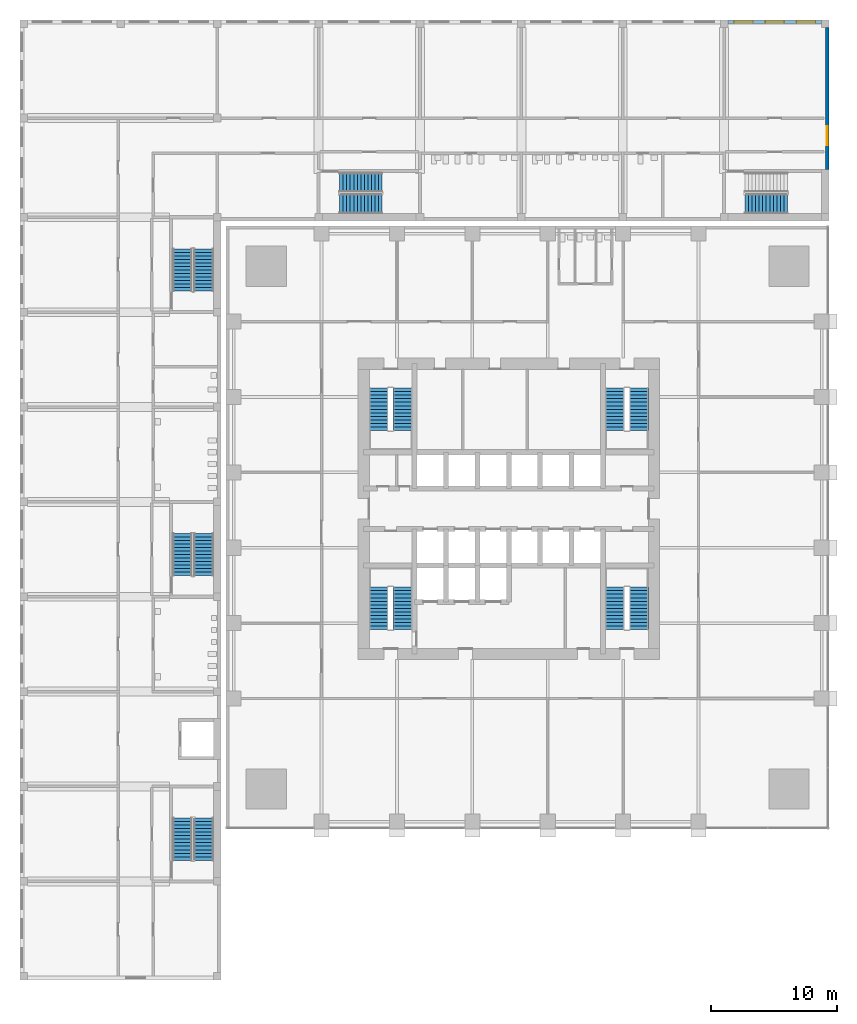
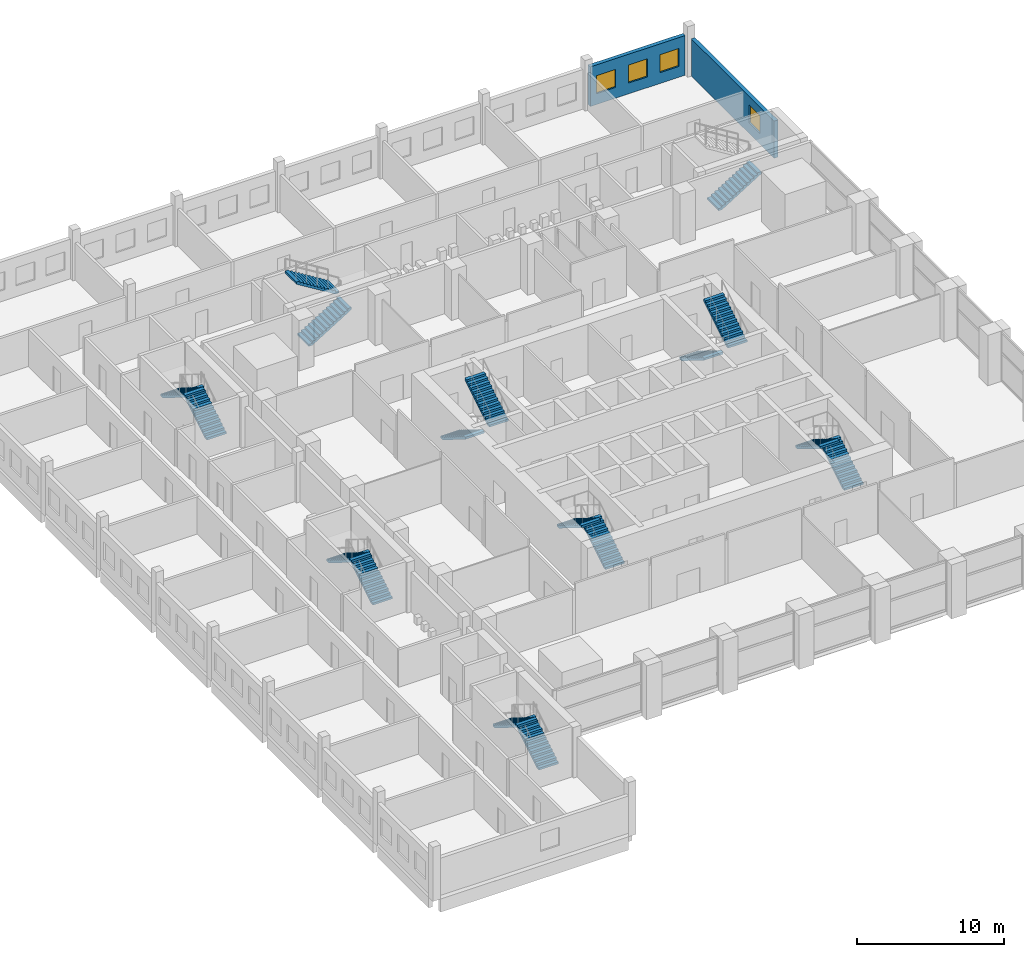
# One storey, part 18 of 25: 17 stair flights, 4 windows, 2 walls, 4 openings, 9 elements without a shape of their own.
"""IFC4 building model written with IfcOpenShell, lengths in metres."""

from ifc_helpers import new_model, si_unit, direction, frame, frame_2d, origin, place, context, subcontext, project, spatial, polyline, rectangle, outline, extrude, material, layer, layer_set, type_object, element, fill, aggregate, save


model = new_model("IFC4")

# Units and contexts
model_context = context("Model", 3, precision=1e-05, world=origin(), true_north=direction((0.0, 1.0)))
body_context = subcontext(model_context, "Body", "Model", "MODEL_VIEW")
ifc_project = project(units=[si_unit("LENGTHUNIT", "METRE"), si_unit("AREAUNIT", "SQUARE_METRE"), si_unit("VOLUMEUNIT", "CUBIC_METRE"), si_unit("PLANEANGLEUNIT", "RADIAN"), si_unit("MASSUNIT", "GRAM", prefix="KILO")], contexts=[model_context])

# Site, building, storey
site_placement = place(None, origin())
site = spatial("IfcSite", under=ifc_project, at=site_placement, CompositionType="ELEMENT")
building_placement = place(site_placement, origin())
building = spatial("IfcBuilding", under=site, at=building_placement, Name="Amberfall Residences", CompositionType="ELEMENT")
storey_placement = place(building_placement, frame((0.0, 0.0, 14.5)))
storey = spatial("IfcBuildingStorey", under=building, at=storey_placement, Name="L03", CompositionType="ELEMENT", Elevation=14.5)

# Wall, openings, windows
ifc_material_1 = material(Name="Aerated block wall")
ifc_layer = layer(ifc_material_1, 0.300048828125)
ifc_layer_set = layer_set([ifc_layer], Name="School external wall 300")
wall_type = type_object("IfcWallType", Name="School external wall 300", PredefinedType="SOLIDWALL", material=ifc_layer_set)
wall_1_placement = place(storey_placement, frame((91.93310546875, 84.25, 0.0), z_axis=(0.0, 0.0, 1.0), x_axis=(1.0, 0.0, 0.0)))
wall_1 = element("IfcWall", 1, at=wall_1_placement, inside=storey, type_object=wall_type, Name="School external wall L03 EN7", PredefinedType="SOLIDWALL", context=body_context, shape_type="SweptSolid", body=[
    extrude(rectangle(XDim=7.466796875, YDim=0.300048828125, at=frame_2d((3.7333984375, 0.0))), origin(), (0.0, 0.0, 1.0), 3.300048828125),
])
opening_1_placement = place(wall_1_placement, frame((0.494384765625, 0.0, 0.89990234375)))
opening_1 = element("IfcOpeningElement", 2, at=opening_1_placement, cuts=wall_1, Name="Opening SWN1", PredefinedType="OPENING", context=body_context, shape_type="SweptSolid", body=[
    extrude(rectangle(XDim=1.5, YDim=1.5, at=frame_2d((0.75, 0.75))), frame((0.0, 0.159912109375, 0.0), z_axis=(0.0, -1.0, 0.0), x_axis=(1.0, 0.0, 0.0)), (0.0, 0.0, 1.0), 0.320068359375),
])
opening_2_placement = place(wall_1_placement, frame((2.9833984375, 0.0, 0.89990234375)))
opening_2 = element("IfcOpeningElement", 3, at=opening_2_placement, cuts=wall_1, Name="Opening SWN1", PredefinedType="OPENING", context=body_context, shape_type="SweptSolid", body=[
    extrude(rectangle(XDim=1.5, YDim=1.5, at=frame_2d((0.75, 0.75))), frame((0.0, 0.159912109375, 0.0), z_axis=(0.0, -1.0, 0.0), x_axis=(1.0, 0.0, 0.0)), (0.0, 0.0, 1.0), 0.320068359375),
])
opening_3_placement = place(wall_1_placement, frame((5.472412109375, 0.0, 0.89990234375)))
opening_3 = element("IfcOpeningElement", 4, at=opening_3_placement, cuts=wall_1, Name="Opening SWN1", PredefinedType="OPENING", context=body_context, shape_type="SweptSolid", body=[
    extrude(rectangle(XDim=1.5, YDim=1.5, at=frame_2d((0.75, 0.75))), frame((0.0, 0.159912109375, 0.0), z_axis=(0.0, -1.0, 0.0), x_axis=(1.0, 0.0, 0.0)), (0.0, 0.0, 1.0), 0.320068359375),
])
ifc_material_2 = material(Name="Aluminium window", Category="aluminium")
window_type = type_object("IfcWindowType", Name="School window 1500 x 1500", PartitioningType="DOUBLE_PANEL_HORIZONTAL", PredefinedType="WINDOW", material=ifc_material_2)
window_1_placement = place(opening_1_placement, origin())
window_1 = element("IfcWindow", 5, at=window_1_placement, inside=storey, type_object=window_type, Name="School window L03 EN7-1", OverallHeight=1.5, OverallWidth=1.5, PartitioningType="DOUBLE_PANEL_HORIZONTAL", PredefinedType="WINDOW", context=body_context, shape_type="SweptSolid", body=[
    extrude(rectangle(XDim=1.5, YDim=1.5, at=frame_2d((0.75, 0.75))), frame((0.0, 0.030029296875, 0.0), z_axis=(0.0, -1.0, 0.0), x_axis=(1.0, 0.0, 0.0)), (0.0, 0.0, 1.0), 0.06005859375),
])
fill(opening_1, window_1)
window_2_placement = place(opening_2_placement, origin())
window_2 = element("IfcWindow", 6, at=window_2_placement, inside=storey, type_object=window_type, Name="School window L03 EN7-2", OverallHeight=1.5, OverallWidth=1.5, PartitioningType="DOUBLE_PANEL_HORIZONTAL", PredefinedType="WINDOW", context=body_context, shape_type="SweptSolid", body=[
    extrude(rectangle(XDim=1.5, YDim=1.5, at=frame_2d((0.75, 0.75))), frame((0.0, 0.030029296875, 0.0), z_axis=(0.0, -1.0, 0.0), x_axis=(1.0, 0.0, 0.0)), (0.0, 0.0, 1.0), 0.06005859375),
])
fill(opening_2, window_2)
window_3_placement = place(opening_3_placement, origin())
window_3 = element("IfcWindow", 7, at=window_3_placement, inside=storey, type_object=window_type, Name="School window L03 EN7-3", OverallHeight=1.5, OverallWidth=1.5, PartitioningType="DOUBLE_PANEL_HORIZONTAL", PredefinedType="WINDOW", context=body_context, shape_type="SweptSolid", body=[
    extrude(rectangle(XDim=1.5, YDim=1.5, at=frame_2d((0.75, 0.75))), frame((0.0, 0.030029296875, 0.0), z_axis=(0.0, -1.0, 0.0), x_axis=(1.0, 0.0, 0.0)), (0.0, 0.0, 1.0), 0.06005859375),
])
fill(opening_3, window_3)

# Wall, opening, window
wall_2_placement = place(storey_placement, frame((99.85009765625, 72.5, 0.0), z_axis=(0.0, 0.0, 1.0), x_axis=(0.0, 1.0, 0.0)))
wall_2 = element("IfcWall", 8, at=wall_2_placement, inside=storey, type_object=wall_type, Name="School external wall L03 EE", PredefinedType="SOLIDWALL", context=body_context, shape_type="SweptSolid", body=[
    extrude(rectangle(XDim=11.300048828125, YDim=0.300048828125, at=frame_2d((5.64990234375, 0.0))), origin(), (0.0, 0.0, 1.0), 3.10009765625),
])
opening_4_placement = place(wall_2_placement, frame((1.949951171875, 0.0, 0.89990234375)))
opening_4 = element("IfcOpeningElement", 9, at=opening_4_placement, cuts=wall_2, Name="Opening SWN1", PredefinedType="OPENING", context=body_context, shape_type="SweptSolid", body=[
    extrude(rectangle(XDim=1.5, YDim=1.5, at=frame_2d((0.75, 0.75))), frame((0.0, 0.159912109375, 0.0), z_axis=(0.0, -1.0, 0.0), x_axis=(1.0, 0.0, 0.0)), (0.0, 0.0, 1.0), 0.320068359375),
])
window_4_placement = place(opening_4_placement, origin())
window_4 = element("IfcWindow", 10, at=window_4_placement, inside=storey, type_object=window_type, Name="School window L03 EE-1", OverallHeight=1.5, OverallWidth=1.5, PartitioningType="DOUBLE_PANEL_HORIZONTAL", PredefinedType="WINDOW", context=body_context, shape_type="SweptSolid", body=[
    extrude(rectangle(XDim=1.5, YDim=1.5, at=frame_2d((0.75, 0.75))), frame((0.0, 0.030029296875, 0.0), z_axis=(0.0, -1.0, 0.0), x_axis=(1.0, 0.0, 0.0)), (0.0, 0.0, 1.0), 0.06005859375),
])
fill(opening_4, window_4)

# Stair, stair flights
ifc_material_3 = material(Name="Concrete C40", Category="concrete")
stair_type_1 = type_object("IfcStairType", Name="School stair", PredefinedType="HALF_TURN_STAIR", material=ifc_material_3)
stair_1_placement = place(storey_placement, origin())
stair_1 = element("IfcStair", 11, at=stair_1_placement, inside=storey, type_object=stair_type_1, Name="L03 Stair SS1", PredefinedType="HALF_TURN_STAIR")
stair_flight_type_1 = type_object("IfcStairFlightType", Name="School stair flight", PredefinedType="STRAIGHT", material=ifc_material_3)
stair_flight_1_placement = place(storey_placement, frame((50.22509765625, 17.52490234375, 0.0), z_axis=(0.0, 0.0, 1.0), x_axis=(0.0, 1.0, 0.0)))
stair_flight_1 = element("IfcStairFlight", 12, at=stair_flight_1_placement, type_object=stair_flight_type_1, Name="SS1 flight 1", NumberOfRisers=13, NumberOfTreads=12, PredefinedType="STRAIGHT", RiserHeight=0.173076923, TreadLength=0.28, context=body_context, shape_type="SweptSolid", body=[
    extrude(outline(polyline([(0.0, 0.0), (0.0, 0.173095703125), (0.280029296875, 0.173095703125), (0.280029296875, 0.34619140625), (0.56005859375, 0.34619140625), (0.56005859375, 0.519287109375), (0.840087890625, 0.519287109375), (0.840087890625, 0.6923828125), (1.1201171875, 0.6923828125), (1.1201171875, 0.865478515625), (1.39990234375, 0.865478515625), (1.39990234375, 1.03857421875), (1.679931640625, 1.03857421875), (1.679931640625, 1.21142578125), (1.9599609375, 1.21142578125), (1.9599609375, 1.384521484375), (2.239990234375, 1.384521484375), (2.239990234375, 1.5576171875), (2.52001953125, 1.5576171875), (2.52001953125, 1.730712890625), (2.800048828125, 1.730712890625), (2.800048828125, 1.90380859375), (3.080078125, 1.90380859375), (3.080078125, 2.076904296875), (3.360107421875, 2.076904296875), (3.360107421875, 2.25), (3.360107421875, 1.900634765625), (0.28515625, 0.0), (0.0, 0.0)])), frame((0.0, 0.77490234375, 0.0), z_axis=(0.0, -1.0, 0.0), x_axis=(1.0, 0.0, 0.0)), (0.0, 0.0, 1.0), 1.550048828125),
])
stair_flight_2_placement = place(storey_placement, frame((48.52490234375, 20.885009765625, 2.25), z_axis=(0.0, 0.0, 1.0), x_axis=(0.0, -1.0, 0.0)))
stair_flight_2 = element("IfcStairFlight", 13, at=stair_flight_2_placement, type_object=stair_flight_type_1, Name="SS1 flight 2", NumberOfRisers=13, NumberOfTreads=12, PredefinedType="STRAIGHT", RiserHeight=0.173076923, TreadLength=0.28, context=body_context, shape_type="SweptSolid", body=[
    extrude(outline(polyline([(0.0, 0.0), (0.0, 0.173095703125), (0.280029296875, 0.173095703125), (0.280029296875, 0.34619140625), (0.56005859375, 0.34619140625), (0.56005859375, 0.519287109375), (0.840087890625, 0.519287109375), (0.840087890625, 0.6923828125), (1.1201171875, 0.6923828125), (1.1201171875, 0.865478515625), (1.39990234375, 0.865478515625), (1.39990234375, 1.03857421875), (1.679931640625, 1.03857421875), (1.679931640625, 1.21142578125), (1.9599609375, 1.21142578125), (1.9599609375, 1.384521484375), (2.239990234375, 1.384521484375), (2.239990234375, 1.5576171875), (2.52001953125, 1.5576171875), (2.52001953125, 1.730712890625), (2.800048828125, 1.730712890625), (2.800048828125, 1.90380859375), (3.080078125, 1.90380859375), (3.080078125, 2.076904296875), (3.360107421875, 2.076904296875), (3.360107421875, 2.25), (3.360107421875, 1.900634765625), (0.28515625, 0.0), (0.0, 0.0)])), frame((0.0, 0.77490234375, 0.0), z_axis=(0.0, -1.0, 0.0), x_axis=(1.0, 0.0, 0.0)), (0.0, 0.0, 1.0), 1.550048828125),
])
aggregate(stair_1, [stair_flight_1, stair_flight_2])

stair_2_placement = place(storey_placement, origin())
stair_2 = element("IfcStair", 14, at=stair_2_placement, inside=storey, type_object=stair_type_1, Name="L03 Stair SS2", PredefinedType="HALF_TURN_STAIR")
stair_flight_3_placement = place(storey_placement, frame((50.22509765625, 40.175048828125, 0.0), z_axis=(0.0, 0.0, 1.0), x_axis=(0.0, 1.0, 0.0)))
stair_flight_3 = element("IfcStairFlight", 15, at=stair_flight_3_placement, type_object=stair_flight_type_1, Name="SS2 flight 1", NumberOfRisers=13, NumberOfTreads=12, PredefinedType="STRAIGHT", RiserHeight=0.173076923, TreadLength=0.28, context=body_context, shape_type="SweptSolid", body=[
    extrude(outline(polyline([(0.0, 0.0), (0.0, 0.173095703125), (0.280029296875, 0.173095703125), (0.280029296875, 0.34619140625), (0.56005859375, 0.34619140625), (0.56005859375, 0.519287109375), (0.840087890625, 0.519287109375), (0.840087890625, 0.6923828125), (1.1201171875, 0.6923828125), (1.1201171875, 0.865478515625), (1.39990234375, 0.865478515625), (1.39990234375, 1.03857421875), (1.679931640625, 1.03857421875), (1.679931640625, 1.21142578125), (1.9599609375, 1.21142578125), (1.9599609375, 1.384521484375), (2.239990234375, 1.384521484375), (2.239990234375, 1.5576171875), (2.52001953125, 1.5576171875), (2.52001953125, 1.730712890625), (2.800048828125, 1.730712890625), (2.800048828125, 1.90380859375), (3.080078125, 1.90380859375), (3.080078125, 2.076904296875), (3.360107421875, 2.076904296875), (3.360107421875, 2.25), (3.360107421875, 1.900634765625), (0.28515625, 0.0), (0.0, 0.0)])), frame((0.0, 0.77490234375, 0.0), z_axis=(0.0, -1.0, 0.0), x_axis=(1.0, 0.0, 0.0)), (0.0, 0.0, 1.0), 1.550048828125),
])
stair_flight_4_placement = place(storey_placement, frame((48.52490234375, 43.534912109375, 2.25), z_axis=(0.0, 0.0, 1.0), x_axis=(0.0, -1.0, 0.0)))
stair_flight_4 = element("IfcStairFlight", 16, at=stair_flight_4_placement, type_object=stair_flight_type_1, Name="SS2 flight 2", NumberOfRisers=13, NumberOfTreads=12, PredefinedType="STRAIGHT", RiserHeight=0.173076923, TreadLength=0.28, context=body_context, shape_type="SweptSolid", body=[
    extrude(outline(polyline([(0.0, 0.0), (0.0, 0.173095703125), (0.280029296875, 0.173095703125), (0.280029296875, 0.34619140625), (0.56005859375, 0.34619140625), (0.56005859375, 0.519287109375), (0.840087890625, 0.519287109375), (0.840087890625, 0.6923828125), (1.1201171875, 0.6923828125), (1.1201171875, 0.865478515625), (1.39990234375, 0.865478515625), (1.39990234375, 1.03857421875), (1.679931640625, 1.03857421875), (1.679931640625, 1.21142578125), (1.9599609375, 1.21142578125), (1.9599609375, 1.384521484375), (2.239990234375, 1.384521484375), (2.239990234375, 1.5576171875), (2.52001953125, 1.5576171875), (2.52001953125, 1.730712890625), (2.800048828125, 1.730712890625), (2.800048828125, 1.90380859375), (3.080078125, 1.90380859375), (3.080078125, 2.076904296875), (3.360107421875, 2.076904296875), (3.360107421875, 2.25), (3.360107421875, 1.900634765625), (0.28515625, 0.0), (0.0, 0.0)])), frame((0.0, 0.77490234375, 0.0), z_axis=(0.0, -1.0, 0.0), x_axis=(1.0, 0.0, 0.0)), (0.0, 0.0, 1.0), 1.550048828125),
])
aggregate(stair_2, [stair_flight_3, stair_flight_4])

stair_3_placement = place(storey_placement, origin())
stair_3 = element("IfcStair", 17, at=stair_3_placement, inside=storey, type_object=stair_type_1, Name="L03 Stair SS3", PredefinedType="HALF_TURN_STAIR")
stair_flight_5_placement = place(storey_placement, frame((50.22509765625, 62.824951171875, 0.0), z_axis=(0.0, 0.0, 1.0), x_axis=(0.0, 1.0, 0.0)))
stair_flight_5 = element("IfcStairFlight", 18, at=stair_flight_5_placement, type_object=stair_flight_type_1, Name="SS3 flight 1", NumberOfRisers=13, NumberOfTreads=12, PredefinedType="STRAIGHT", RiserHeight=0.173076923, TreadLength=0.28, context=body_context, shape_type="SweptSolid", body=[
    extrude(outline(polyline([(0.0, 0.0), (0.0, 0.173095703125), (0.280029296875, 0.173095703125), (0.280029296875, 0.34619140625), (0.56005859375, 0.34619140625), (0.56005859375, 0.519287109375), (0.840087890625, 0.519287109375), (0.840087890625, 0.6923828125), (1.1201171875, 0.6923828125), (1.1201171875, 0.865478515625), (1.39990234375, 0.865478515625), (1.39990234375, 1.03857421875), (1.679931640625, 1.03857421875), (1.679931640625, 1.21142578125), (1.9599609375, 1.21142578125), (1.9599609375, 1.384521484375), (2.239990234375, 1.384521484375), (2.239990234375, 1.5576171875), (2.52001953125, 1.5576171875), (2.52001953125, 1.730712890625), (2.800048828125, 1.730712890625), (2.800048828125, 1.90380859375), (3.080078125, 1.90380859375), (3.080078125, 2.076904296875), (3.360107421875, 2.076904296875), (3.360107421875, 2.25), (3.360107421875, 1.900634765625), (0.28515625, 0.0), (0.0, 0.0)])), frame((0.0, 0.77490234375, 0.0), z_axis=(0.0, -1.0, 0.0), x_axis=(1.0, 0.0, 0.0)), (0.0, 0.0, 1.0), 1.550048828125),
])
stair_flight_6_placement = place(storey_placement, frame((48.52490234375, 66.18505859375, 2.25), z_axis=(0.0, 0.0, 1.0), x_axis=(0.0, -1.0, 0.0)))
stair_flight_6 = element("IfcStairFlight", 19, at=stair_flight_6_placement, type_object=stair_flight_type_1, Name="SS3 flight 2", NumberOfRisers=13, NumberOfTreads=12, PredefinedType="STRAIGHT", RiserHeight=0.173076923, TreadLength=0.28, context=body_context, shape_type="SweptSolid", body=[
    extrude(outline(polyline([(0.0, 0.0), (0.0, 0.173095703125), (0.280029296875, 0.173095703125), (0.280029296875, 0.34619140625), (0.56005859375, 0.34619140625), (0.56005859375, 0.519287109375), (0.840087890625, 0.519287109375), (0.840087890625, 0.6923828125), (1.1201171875, 0.6923828125), (1.1201171875, 0.865478515625), (1.39990234375, 0.865478515625), (1.39990234375, 1.03857421875), (1.679931640625, 1.03857421875), (1.679931640625, 1.21142578125), (1.9599609375, 1.21142578125), (1.9599609375, 1.384521484375), (2.239990234375, 1.384521484375), (2.239990234375, 1.5576171875), (2.52001953125, 1.5576171875), (2.52001953125, 1.730712890625), (2.800048828125, 1.730712890625), (2.800048828125, 1.90380859375), (3.080078125, 1.90380859375), (3.080078125, 2.076904296875), (3.360107421875, 2.076904296875), (3.360107421875, 2.25), (3.360107421875, 1.900634765625), (0.28515625, 0.0), (0.0, 0.0)])), frame((0.0, 0.77490234375, 0.0), z_axis=(0.0, -1.0, 0.0), x_axis=(1.0, 0.0, 0.0)), (0.0, 0.0, 1.0), 1.550048828125),
])
aggregate(stair_3, [stair_flight_5, stair_flight_6])

stair_4_placement = place(storey_placement, origin())
stair_4 = element("IfcStair", 20, at=stair_4_placement, inside=storey, type_object=stair_type_1, Name="L03 Stair SS4", PredefinedType="HALF_TURN_STAIR")
stair_flight_7_placement = place(storey_placement, frame((61.0419921875, 69.77490234375, 0.0), z_axis=(0.0, 0.0, 1.0), x_axis=(1.0, 0.0, 0.0)))
stair_flight_7 = element("IfcStairFlight", 21, at=stair_flight_7_placement, type_object=stair_flight_type_1, Name="SS4 flight 1", NumberOfRisers=13, NumberOfTreads=12, PredefinedType="STRAIGHT", RiserHeight=0.173076923, TreadLength=0.28, context=body_context, shape_type="SweptSolid", body=[
    extrude(outline(polyline([(0.0, 0.0), (0.0, 0.173095703125), (0.280029296875, 0.173095703125), (0.280029296875, 0.34619140625), (0.56005859375, 0.34619140625), (0.56005859375, 0.519287109375), (0.840087890625, 0.519287109375), (0.840087890625, 0.6923828125), (1.1201171875, 0.6923828125), (1.1201171875, 0.865478515625), (1.39990234375, 0.865478515625), (1.39990234375, 1.03857421875), (1.679931640625, 1.03857421875), (1.679931640625, 1.21142578125), (1.9599609375, 1.21142578125), (1.9599609375, 1.384521484375), (2.239990234375, 1.384521484375), (2.239990234375, 1.5576171875), (2.52001953125, 1.5576171875), (2.52001953125, 1.730712890625), (2.800048828125, 1.730712890625), (2.800048828125, 1.90380859375), (3.080078125, 1.90380859375), (3.080078125, 2.076904296875), (3.360107421875, 2.076904296875), (3.360107421875, 2.25), (3.360107421875, 1.900634765625), (0.28515625, 0.0), (0.0, 0.0)])), frame((0.0, 0.77490234375, 0.0), z_axis=(0.0, -1.0, 0.0), x_axis=(1.0, 0.0, 0.0)), (0.0, 0.0, 1.0), 1.550048828125),
])
stair_flight_8_placement = place(storey_placement, frame((64.402099609375, 71.47509765625, 2.25), z_axis=(0.0, 0.0, 1.0), x_axis=(-1.0, 0.0, 0.0)))
stair_flight_8 = element("IfcStairFlight", 22, at=stair_flight_8_placement, type_object=stair_flight_type_1, Name="SS4 flight 2", NumberOfRisers=13, NumberOfTreads=12, PredefinedType="STRAIGHT", RiserHeight=0.173076923, TreadLength=0.28, context=body_context, shape_type="SweptSolid", body=[
    extrude(outline(polyline([(0.0, 0.0), (0.0, 0.173095703125), (0.280029296875, 0.173095703125), (0.280029296875, 0.34619140625), (0.56005859375, 0.34619140625), (0.56005859375, 0.519287109375), (0.840087890625, 0.519287109375), (0.840087890625, 0.6923828125), (1.1201171875, 0.6923828125), (1.1201171875, 0.865478515625), (1.39990234375, 0.865478515625), (1.39990234375, 1.03857421875), (1.679931640625, 1.03857421875), (1.679931640625, 1.21142578125), (1.9599609375, 1.21142578125), (1.9599609375, 1.384521484375), (2.239990234375, 1.384521484375), (2.239990234375, 1.5576171875), (2.52001953125, 1.5576171875), (2.52001953125, 1.730712890625), (2.800048828125, 1.730712890625), (2.800048828125, 1.90380859375), (3.080078125, 1.90380859375), (3.080078125, 2.076904296875), (3.360107421875, 2.076904296875), (3.360107421875, 2.25), (3.360107421875, 1.900634765625), (0.28515625, 0.0), (0.0, 0.0)])), frame((0.0, 0.77490234375, 0.0), z_axis=(0.0, -1.0, 0.0), x_axis=(1.0, 0.0, 0.0)), (0.0, 0.0, 1.0), 1.550048828125),
])
aggregate(stair_4, [stair_flight_7, stair_flight_8])

# Stair, stair flight
stair_5_placement = place(storey_placement, origin())
stair_5 = element("IfcStair", 23, at=stair_5_placement, inside=storey, type_object=stair_type_1, Name="L03 Stair SS5", PredefinedType="HALF_TURN_STAIR")
stair_flight_9_placement = place(storey_placement, frame((93.30810546875, 69.77490234375, 0.0), z_axis=(0.0, 0.0, 1.0), x_axis=(1.0, 0.0, 0.0)))
stair_flight_9 = element("IfcStairFlight", 24, at=stair_flight_9_placement, type_object=stair_flight_type_1, Name="SS5 flight 1", NumberOfRisers=13, NumberOfTreads=12, PredefinedType="STRAIGHT", RiserHeight=0.173076923, TreadLength=0.28, context=body_context, shape_type="SweptSolid", body=[
    extrude(outline(polyline([(0.0, 0.0), (0.0, 0.173095703125), (0.280029296875, 0.173095703125), (0.280029296875, 0.34619140625), (0.56005859375, 0.34619140625), (0.56005859375, 0.519287109375), (0.840087890625, 0.519287109375), (0.840087890625, 0.6923828125), (1.1201171875, 0.6923828125), (1.1201171875, 0.865478515625), (1.39990234375, 0.865478515625), (1.39990234375, 1.03857421875), (1.679931640625, 1.03857421875), (1.679931640625, 1.21142578125), (1.9599609375, 1.21142578125), (1.9599609375, 1.384521484375), (2.239990234375, 1.384521484375), (2.239990234375, 1.5576171875), (2.52001953125, 1.5576171875), (2.52001953125, 1.730712890625), (2.800048828125, 1.730712890625), (2.800048828125, 1.90380859375), (3.080078125, 1.90380859375), (3.080078125, 2.076904296875), (3.360107421875, 2.076904296875), (3.360107421875, 2.25), (3.360107421875, 1.900634765625), (0.28515625, 0.0), (0.0, 0.0)])), frame((0.0, 0.77490234375, 0.0), z_axis=(0.0, -1.0, 0.0), x_axis=(1.0, 0.0, 0.0)), (0.0, 0.0, 1.0), 1.550048828125),
])
aggregate(stair_5, [stair_flight_9])

# Stair, stair flights
stair_type_2 = type_object("IfcStairType", Name="Exit stair 26 risers 173.1 mm", PredefinedType="HALF_TURN_STAIR", material=ifc_material_3)
stair_6_placement = place(storey_placement, origin())
stair_6 = element("IfcStair", 25, at=stair_6_placement, inside=storey, type_object=stair_type_2, Name="L03 Exit stair 1", PredefinedType="HALF_TURN_STAIR")
stair_flight_type_2 = type_object("IfcStairFlightType", Name="Stair flight 13 risers 173.1 mm", PredefinedType="STRAIGHT", material=ifc_material_3)
stair_flight_10_placement = place(storey_placement, frame((66.050048828125, 35.89990234375, 0.0), z_axis=(0.0, 0.0, 1.0), x_axis=(0.0, 1.0, 0.0)))
stair_flight_10 = element("IfcStairFlight", 26, at=stair_flight_10_placement, type_object=stair_flight_type_2, Name="ST2 flight 1", NumberOfRisers=13, NumberOfTreads=12, PredefinedType="STRAIGHT", RiserHeight=0.173076923, TreadLength=0.28, context=body_context, shape_type="SweptSolid", body=[
    extrude(outline(polyline([(0.0, 0.0), (0.0, 0.173095703125), (0.280029296875, 0.173095703125), (0.280029296875, 0.34619140625), (0.56005859375, 0.34619140625), (0.56005859375, 0.519287109375), (0.840087890625, 0.519287109375), (0.840087890625, 0.6923828125), (1.1201171875, 0.6923828125), (1.1201171875, 0.865478515625), (1.39990234375, 0.865478515625), (1.39990234375, 1.03857421875), (1.679931640625, 1.03857421875), (1.679931640625, 1.21142578125), (1.9599609375, 1.21142578125), (1.9599609375, 1.384521484375), (2.239990234375, 1.384521484375), (2.239990234375, 1.5576171875), (2.52001953125, 1.5576171875), (2.52001953125, 1.730712890625), (2.800048828125, 1.730712890625), (2.800048828125, 1.90380859375), (3.080078125, 1.90380859375), (3.080078125, 2.076904296875), (3.360107421875, 2.076904296875), (3.360107421875, 2.25), (3.360107421875, 1.900634765625), (0.28515625, 0.0), (0.0, 0.0)])), frame((0.0, 0.75, 0.0), z_axis=(0.0, -1.0, 0.0), x_axis=(1.0, 0.0, 0.0)), (0.0, 0.0, 1.0), 1.5),
])
stair_flight_11_placement = place(storey_placement, frame((64.14990234375, 39.260009765625, 2.25), z_axis=(0.0, 0.0, 1.0), x_axis=(0.0, -1.0, 0.0)))
stair_flight_11 = element("IfcStairFlight", 27, at=stair_flight_11_placement, type_object=stair_flight_type_2, Name="ST2 flight 2", NumberOfRisers=13, NumberOfTreads=12, PredefinedType="STRAIGHT", RiserHeight=0.173076923, TreadLength=0.28, context=body_context, shape_type="SweptSolid", body=[
    extrude(outline(polyline([(0.0, 0.0), (0.0, 0.173095703125), (0.280029296875, 0.173095703125), (0.280029296875, 0.34619140625), (0.56005859375, 0.34619140625), (0.56005859375, 0.519287109375), (0.840087890625, 0.519287109375), (0.840087890625, 0.6923828125), (1.1201171875, 0.6923828125), (1.1201171875, 0.865478515625), (1.39990234375, 0.865478515625), (1.39990234375, 1.03857421875), (1.679931640625, 1.03857421875), (1.679931640625, 1.21142578125), (1.9599609375, 1.21142578125), (1.9599609375, 1.384521484375), (2.239990234375, 1.384521484375), (2.239990234375, 1.5576171875), (2.52001953125, 1.5576171875), (2.52001953125, 1.730712890625), (2.800048828125, 1.730712890625), (2.800048828125, 1.90380859375), (3.080078125, 1.90380859375), (3.080078125, 2.076904296875), (3.360107421875, 2.076904296875), (3.360107421875, 2.25), (3.360107421875, 1.900634765625), (0.28515625, 0.0), (0.0, 0.0)])), frame((0.0, 0.75, 0.0), z_axis=(0.0, -1.0, 0.0), x_axis=(1.0, 0.0, 0.0)), (0.0, 0.0, 1.0), 1.5),
])
aggregate(stair_6, [stair_flight_10, stair_flight_11])

stair_7_placement = place(storey_placement, origin())
stair_7 = element("IfcStair", 28, at=stair_7_placement, inside=storey, type_object=stair_type_2, Name="L03 Exit stair 2", PredefinedType="HALF_TURN_STAIR")
stair_flight_12_placement = place(storey_placement, frame((84.85009765625, 35.89990234375, 0.0), z_axis=(0.0, 0.0, 1.0), x_axis=(0.0, 1.0, 0.0)))
stair_flight_12 = element("IfcStairFlight", 29, at=stair_flight_12_placement, type_object=stair_flight_type_2, Name="ST2 flight 1", NumberOfRisers=13, NumberOfTreads=12, PredefinedType="STRAIGHT", RiserHeight=0.173076923, TreadLength=0.28, context=body_context, shape_type="SweptSolid", body=[
    extrude(outline(polyline([(0.0, 0.0), (0.0, 0.173095703125), (0.280029296875, 0.173095703125), (0.280029296875, 0.34619140625), (0.56005859375, 0.34619140625), (0.56005859375, 0.519287109375), (0.840087890625, 0.519287109375), (0.840087890625, 0.6923828125), (1.1201171875, 0.6923828125), (1.1201171875, 0.865478515625), (1.39990234375, 0.865478515625), (1.39990234375, 1.03857421875), (1.679931640625, 1.03857421875), (1.679931640625, 1.21142578125), (1.9599609375, 1.21142578125), (1.9599609375, 1.384521484375), (2.239990234375, 1.384521484375), (2.239990234375, 1.5576171875), (2.52001953125, 1.5576171875), (2.52001953125, 1.730712890625), (2.800048828125, 1.730712890625), (2.800048828125, 1.90380859375), (3.080078125, 1.90380859375), (3.080078125, 2.076904296875), (3.360107421875, 2.076904296875), (3.360107421875, 2.25), (3.360107421875, 1.900634765625), (0.28515625, 0.0), (0.0, 0.0)])), frame((0.0, 0.75, 0.0), z_axis=(0.0, -1.0, 0.0), x_axis=(1.0, 0.0, 0.0)), (0.0, 0.0, 1.0), 1.5),
])
stair_flight_13_placement = place(storey_placement, frame((82.949951171875, 39.260009765625, 2.25), z_axis=(0.0, 0.0, 1.0), x_axis=(0.0, -1.0, 0.0)))
stair_flight_13 = element("IfcStairFlight", 30, at=stair_flight_13_placement, type_object=stair_flight_type_2, Name="ST2 flight 2", NumberOfRisers=13, NumberOfTreads=12, PredefinedType="STRAIGHT", RiserHeight=0.173076923, TreadLength=0.28, context=body_context, shape_type="SweptSolid", body=[
    extrude(outline(polyline([(0.0, 0.0), (0.0, 0.173095703125), (0.280029296875, 0.173095703125), (0.280029296875, 0.34619140625), (0.56005859375, 0.34619140625), (0.56005859375, 0.519287109375), (0.840087890625, 0.519287109375), (0.840087890625, 0.6923828125), (1.1201171875, 0.6923828125), (1.1201171875, 0.865478515625), (1.39990234375, 0.865478515625), (1.39990234375, 1.03857421875), (1.679931640625, 1.03857421875), (1.679931640625, 1.21142578125), (1.9599609375, 1.21142578125), (1.9599609375, 1.384521484375), (2.239990234375, 1.384521484375), (2.239990234375, 1.5576171875), (2.52001953125, 1.5576171875), (2.52001953125, 1.730712890625), (2.800048828125, 1.730712890625), (2.800048828125, 1.90380859375), (3.080078125, 1.90380859375), (3.080078125, 2.076904296875), (3.360107421875, 2.076904296875), (3.360107421875, 2.25), (3.360107421875, 1.900634765625), (0.28515625, 0.0), (0.0, 0.0)])), frame((0.0, 0.75, 0.0), z_axis=(0.0, -1.0, 0.0), x_axis=(1.0, 0.0, 0.0)), (0.0, 0.0, 1.0), 1.5),
])
aggregate(stair_7, [stair_flight_12, stair_flight_13])

stair_8_placement = place(storey_placement, origin())
stair_8 = element("IfcStair", 31, at=stair_8_placement, inside=storey, type_object=stair_type_2, Name="L03 Exit stair 3", PredefinedType="HALF_TURN_STAIR")
stair_flight_14_placement = place(storey_placement, frame((82.949951171875, 55.10009765625, 0.0), z_axis=(0.0, 0.0, 1.0), x_axis=(0.0, -1.0, 0.0)))
stair_flight_14 = element("IfcStairFlight", 32, at=stair_flight_14_placement, type_object=stair_flight_type_2, Name="ST2 flight 1", NumberOfRisers=13, NumberOfTreads=12, PredefinedType="STRAIGHT", RiserHeight=0.173076923, TreadLength=0.28, context=body_context, shape_type="SweptSolid", body=[
    extrude(outline(polyline([(0.0, 0.0), (0.0, 0.173095703125), (0.280029296875, 0.173095703125), (0.280029296875, 0.34619140625), (0.56005859375, 0.34619140625), (0.56005859375, 0.519287109375), (0.840087890625, 0.519287109375), (0.840087890625, 0.6923828125), (1.1201171875, 0.6923828125), (1.1201171875, 0.865478515625), (1.39990234375, 0.865478515625), (1.39990234375, 1.03857421875), (1.679931640625, 1.03857421875), (1.679931640625, 1.21142578125), (1.9599609375, 1.21142578125), (1.9599609375, 1.384521484375), (2.239990234375, 1.384521484375), (2.239990234375, 1.5576171875), (2.52001953125, 1.5576171875), (2.52001953125, 1.730712890625), (2.800048828125, 1.730712890625), (2.800048828125, 1.90380859375), (3.080078125, 1.90380859375), (3.080078125, 2.076904296875), (3.360107421875, 2.076904296875), (3.360107421875, 2.25), (3.360107421875, 1.900634765625), (0.28515625, 0.0), (0.0, 0.0)])), frame((0.0, 0.75, 0.0), z_axis=(0.0, -1.0, 0.0), x_axis=(1.0, 0.0, 0.0)), (0.0, 0.0, 1.0), 1.5),
])
stair_flight_15_placement = place(storey_placement, frame((84.85009765625, 51.739990234375, 2.25), z_axis=(0.0, 0.0, 1.0), x_axis=(0.0, 1.0, 0.0)))
stair_flight_15 = element("IfcStairFlight", 33, at=stair_flight_15_placement, type_object=stair_flight_type_2, Name="ST2 flight 2", NumberOfRisers=13, NumberOfTreads=12, PredefinedType="STRAIGHT", RiserHeight=0.173076923, TreadLength=0.28, context=body_context, shape_type="SweptSolid", body=[
    extrude(outline(polyline([(0.0, 0.0), (0.0, 0.173095703125), (0.280029296875, 0.173095703125), (0.280029296875, 0.34619140625), (0.56005859375, 0.34619140625), (0.56005859375, 0.519287109375), (0.840087890625, 0.519287109375), (0.840087890625, 0.6923828125), (1.1201171875, 0.6923828125), (1.1201171875, 0.865478515625), (1.39990234375, 0.865478515625), (1.39990234375, 1.03857421875), (1.679931640625, 1.03857421875), (1.679931640625, 1.21142578125), (1.9599609375, 1.21142578125), (1.9599609375, 1.384521484375), (2.239990234375, 1.384521484375), (2.239990234375, 1.5576171875), (2.52001953125, 1.5576171875), (2.52001953125, 1.730712890625), (2.800048828125, 1.730712890625), (2.800048828125, 1.90380859375), (3.080078125, 1.90380859375), (3.080078125, 2.076904296875), (3.360107421875, 2.076904296875), (3.360107421875, 2.25), (3.360107421875, 1.900634765625), (0.28515625, 0.0), (0.0, 0.0)])), frame((0.0, 0.75, 0.0), z_axis=(0.0, -1.0, 0.0), x_axis=(1.0, 0.0, 0.0)), (0.0, 0.0, 1.0), 1.5),
])
aggregate(stair_8, [stair_flight_14, stair_flight_15])

stair_9_placement = place(storey_placement, origin())
stair_9 = element("IfcStair", 34, at=stair_9_placement, inside=storey, type_object=stair_type_2, Name="L03 Exit stair 4", PredefinedType="HALF_TURN_STAIR")
stair_flight_16_placement = place(storey_placement, frame((64.14990234375, 55.10009765625, 0.0), z_axis=(0.0, 0.0, 1.0), x_axis=(0.0, -1.0, 0.0)))
stair_flight_16 = element("IfcStairFlight", 35, at=stair_flight_16_placement, type_object=stair_flight_type_2, Name="ST2 flight 1", NumberOfRisers=13, NumberOfTreads=12, PredefinedType="STRAIGHT", RiserHeight=0.173076923, TreadLength=0.28, context=body_context, shape_type="SweptSolid", body=[
    extrude(outline(polyline([(0.0, 0.0), (0.0, 0.173095703125), (0.280029296875, 0.173095703125), (0.280029296875, 0.34619140625), (0.56005859375, 0.34619140625), (0.56005859375, 0.519287109375), (0.840087890625, 0.519287109375), (0.840087890625, 0.6923828125), (1.1201171875, 0.6923828125), (1.1201171875, 0.865478515625), (1.39990234375, 0.865478515625), (1.39990234375, 1.03857421875), (1.679931640625, 1.03857421875), (1.679931640625, 1.21142578125), (1.9599609375, 1.21142578125), (1.9599609375, 1.384521484375), (2.239990234375, 1.384521484375), (2.239990234375, 1.5576171875), (2.52001953125, 1.5576171875), (2.52001953125, 1.730712890625), (2.800048828125, 1.730712890625), (2.800048828125, 1.90380859375), (3.080078125, 1.90380859375), (3.080078125, 2.076904296875), (3.360107421875, 2.076904296875), (3.360107421875, 2.25), (3.360107421875, 1.900634765625), (0.28515625, 0.0), (0.0, 0.0)])), frame((0.0, 0.75, 0.0), z_axis=(0.0, -1.0, 0.0), x_axis=(1.0, 0.0, 0.0)), (0.0, 0.0, 1.0), 1.5),
])
stair_flight_17_placement = place(storey_placement, frame((66.050048828125, 51.739990234375, 2.25), z_axis=(0.0, 0.0, 1.0), x_axis=(0.0, 1.0, 0.0)))
stair_flight_17 = element("IfcStairFlight", 36, at=stair_flight_17_placement, type_object=stair_flight_type_2, Name="ST2 flight 2", NumberOfRisers=13, NumberOfTreads=12, PredefinedType="STRAIGHT", RiserHeight=0.173076923, TreadLength=0.28, context=body_context, shape_type="SweptSolid", body=[
    extrude(outline(polyline([(0.0, 0.0), (0.0, 0.173095703125), (0.280029296875, 0.173095703125), (0.280029296875, 0.34619140625), (0.56005859375, 0.34619140625), (0.56005859375, 0.519287109375), (0.840087890625, 0.519287109375), (0.840087890625, 0.6923828125), (1.1201171875, 0.6923828125), (1.1201171875, 0.865478515625), (1.39990234375, 0.865478515625), (1.39990234375, 1.03857421875), (1.679931640625, 1.03857421875), (1.679931640625, 1.21142578125), (1.9599609375, 1.21142578125), (1.9599609375, 1.384521484375), (2.239990234375, 1.384521484375), (2.239990234375, 1.5576171875), (2.52001953125, 1.5576171875), (2.52001953125, 1.730712890625), (2.800048828125, 1.730712890625), (2.800048828125, 1.90380859375), (3.080078125, 1.90380859375), (3.080078125, 2.076904296875), (3.360107421875, 2.076904296875), (3.360107421875, 2.25), (3.360107421875, 1.900634765625), (0.28515625, 0.0), (0.0, 0.0)])), frame((0.0, 0.75, 0.0), z_axis=(0.0, -1.0, 0.0), x_axis=(1.0, 0.0, 0.0)), (0.0, 0.0, 1.0), 1.5),
])
aggregate(stair_9, [stair_flight_16, stair_flight_17])

save(model, "model.ifc")
